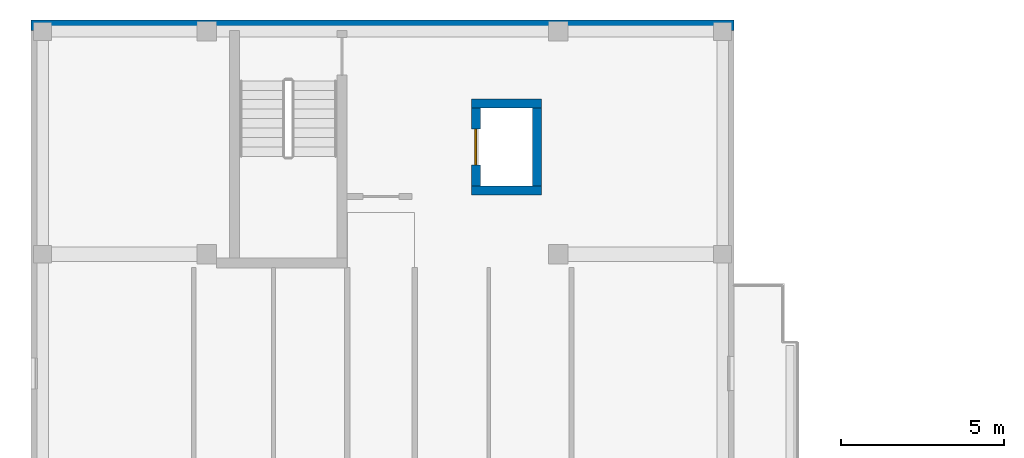
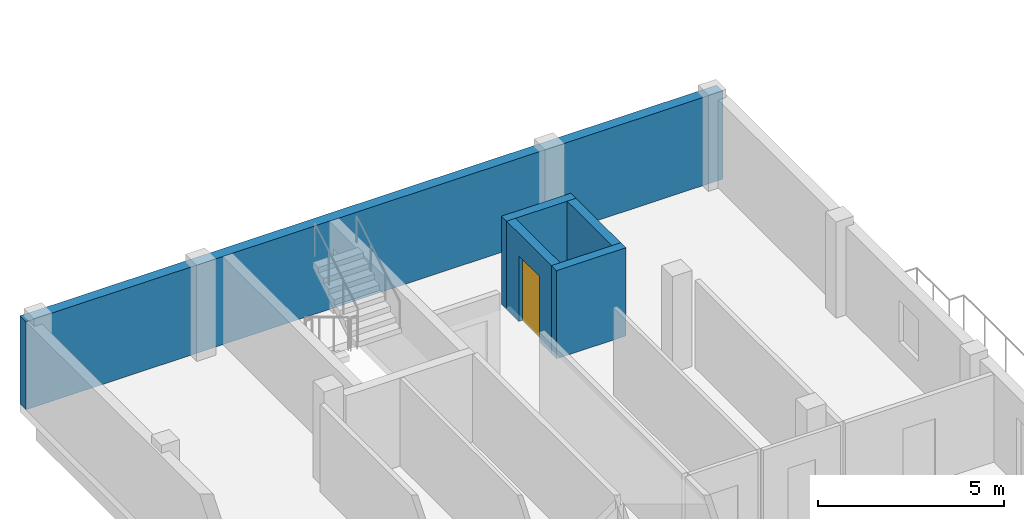
# One storey, part 19 of 41: 5 walls, 1 door, 1 opening.
"""IFC4 building model written with IfcOpenShell, lengths in metres."""

from ifc_helpers import new_model, si_unit, derived_unit, direction, frame, frame_2d, origin, place, context, subcontext, project, spatial, rectangle, extrude, material, layer, layer_set, type_object, element, fill, save


model = new_model("IFC4")

# Units and contexts
model_context = context("Model", 3, precision=1e-05, world=origin(), true_north=direction((0.0, 1.0)))
body_context = subcontext(model_context, "Body", "Model", "MODEL_VIEW")
ifc_project = project(units=[si_unit("LENGTHUNIT", "METRE"), si_unit("AREAUNIT", "SQUARE_METRE"), si_unit("VOLUMEUNIT", "CUBIC_METRE"), si_unit("PLANEANGLEUNIT", "RADIAN"), si_unit("MASSUNIT", "GRAM", prefix="KILO"), derived_unit("THERMALTRANSMITTANCEUNIT", [(si_unit("MASSUNIT", "GRAM", prefix="KILO"), 1), (si_unit("TIMEUNIT", "SECOND"), -3), (si_unit("THERMODYNAMICTEMPERATUREUNIT", "KELVIN"), -1)])], contexts=[model_context])

# Site, building, storey
site_placement = place(None, origin())
site = spatial("IfcSite", under=ifc_project, at=site_placement, CompositionType="ELEMENT")
building_placement = place(site_placement, origin())
building = spatial("IfcBuilding", under=site, at=building_placement, Name="Ochrekiln Boulevard Commons", CompositionType="ELEMENT")
storey_placement = place(building_placement, frame((0.0, 0.0, 21.52490234375)))
storey = spatial("IfcBuildingStorey", under=building, at=storey_placement, Name="L06", CompositionType="ELEMENT", Elevation=21.52490234375)

# Walls
ifc_material_1 = material(Name="Desert ochre clinker brick masonry ASTM C216 Grade SW", Category="masonry")
ifc_layer_1 = layer(ifc_material_1, 0.320068359375)
ifc_layer_set_1 = layer_set([ifc_layer_1], Name="Desert ochre clinker brick masonry ASTM C216 Grade SW")
wall_type_1 = type_object("IfcWallType", Name="WL-EXT-OCHRE-320", PredefinedType="SOLIDWALL", material=ifc_layer_set_1)
wall_1_placement = place(storey_placement, frame((0.0, 118.639892578125, 0.0), z_axis=(0.0, 0.0, 1.0), x_axis=(1.0, 0.0, 0.0)))
element("IfcWall", 1, at=wall_1_placement, inside=storey, type_object=wall_type_1, Name="Block A L06 N Exterior Wall", PredefinedType="SOLIDWALL", context=body_context, shape_type="SweptSolid", body=[
    extrude(rectangle(XDim=21.60009765625, YDim=0.320068359375, at=frame_2d((10.800048828125, 0.0))), origin(), (0.0, 0.0, 1.0), 2.89013671875),
])
ifc_material_2 = material(Name="Concrete C40/50", Category="concrete")
ifc_layer_2 = layer(ifc_material_2, 0.27490234375)
ifc_layer_set_2 = layer_set([ifc_layer_2], Name="Concrete C40/50")
wall_type_2 = type_object("IfcWallType", Name="WL-SH-275", PredefinedType="SHEAR", material=ifc_layer_set_2)
for number, where, z_axis, x_axis, name in (
    (2, (13.52490234375, 113.5625, 0.0), (0.0, 0.0, 1.0), (1.0, 0.0, 0.0), "Elevator FF-A2 L06 Hoistway Shear Wall"),
    (3, (13.52490234375, 116.237548828125, 0.0), (0.0, 0.0, 1.0), (1.0, 0.0, 0.0), "Elevator FF-A2 L06 Hoistway Shear Wall"),
):
    element("IfcWall", number, at=place(storey_placement, frame(where, z_axis=z_axis, x_axis=x_axis)), inside=storey, type_object=wall_type_2, Name=name, PredefinedType="SHEAR", context=body_context, shape_type="SweptSolid", body=[
        extrude(rectangle(XDim=2.150146484375, YDim=0.27490234375, at=frame_2d((1.0751953125, 0.0))), origin(), (0.0, 0.0, 1.0), 2.89013671875),
    ])

# Wall, opening, door
wall_2_placement = place(storey_placement, frame((13.66259765625, 113.699951171875, 0.0), z_axis=(0.0, 0.0, 1.0), x_axis=(0.0, 1.0, 0.0)))
wall_2 = element("IfcWall", 4, at=wall_2_placement, inside=storey, type_object=wall_type_2, Name="Elevator FF-A2 L06 Hoistway Shear Wall", PredefinedType="SHEAR", context=body_context, shape_type="SweptSolid", body=[
    extrude(rectangle(XDim=2.400146484375, YDim=0.27490234375, at=frame_2d((1.2001953125, 0.0))), origin(), (0.0, 0.0, 1.0), 2.89013671875),
])
opening_placement = place(wall_2_placement, frame((0.64990234375, 0.0, 0.0)))
opening = element("IfcOpeningElement", 5, at=opening_placement, cuts=wall_2, Name="Opening LD-FF-A2-L06", PredefinedType="OPENING", context=body_context, shape_type="SweptSolid", body=[
    extrude(rectangle(XDim=1.10009765625, YDim=2.14990234375, at=frame_2d((0.550048828125, 1.074951171875))), frame((0.0, 0.1474609375, 0.0), z_axis=(0.0, -1.0, 0.0), x_axis=(1.0, 0.0, 0.0)), (0.0, 0.0, 1.0), 0.294921875),
])
ifc_material_3 = material(Name="Brushed stainless steel 316 elevator cab and doors", Category="steel")
door_type = type_object("IfcDoorType", Name="DR-LIFT-LD90", OperationType="SLIDING_TO_LEFT", PredefinedType="DOOR", material=ifc_material_3)
door_placement = place(opening_placement, origin())
door = element("IfcDoor", 6, at=door_placement, inside=storey, type_object=door_type, Name="Elevator FF-A2 L06 Sliding Landing Door LD-FF-A2-L06", OperationType="SLIDING_TO_LEFT", OverallHeight=2.14990234375, OverallWidth=1.10009765625, PredefinedType="DOOR", context=body_context, shape_type="SweptSolid", body=[
    extrude(rectangle(XDim=1.10009765625, YDim=2.14990234375, at=frame_2d((0.550048828125, 1.074951171875))), frame((0.0, 0.02490234375, 0.0), z_axis=(0.0, -1.0, 0.0), x_axis=(1.0, 0.0, 0.0)), (0.0, 0.0, 1.0), 0.050048828125),
])
fill(opening, door)

# Wall
wall_3_placement = place(storey_placement, frame((15.53759765625, 113.699951171875, 0.0), z_axis=(0.0, 0.0, 1.0), x_axis=(0.0, 1.0, 0.0)))
element("IfcWall", 7, at=wall_3_placement, inside=storey, type_object=wall_type_2, Name="Elevator FF-A2 L06 Hoistway Shear Wall", PredefinedType="SHEAR", context=body_context, shape_type="SweptSolid", body=[
    extrude(rectangle(XDim=2.400146484375, YDim=0.27490234375, at=frame_2d((1.2001953125, 0.0))), origin(), (0.0, 0.0, 1.0), 2.89013671875),
])

save(model, "model.ifc")
